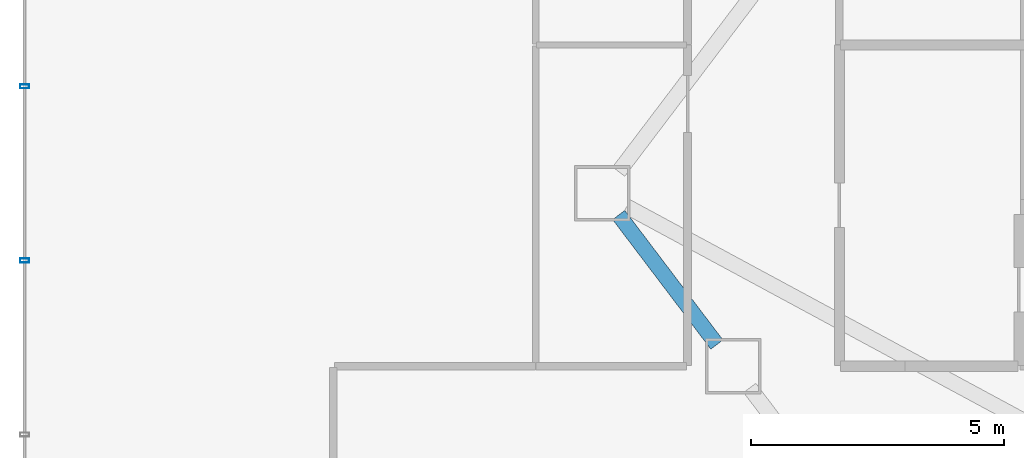
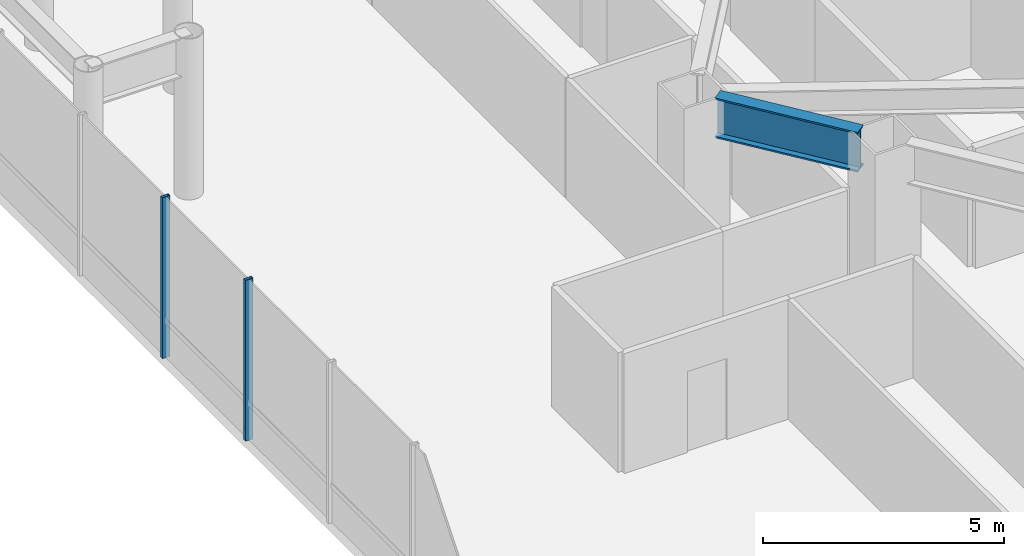
# One storey, part 10 of 33: 2 members, 1 beam, 1 element without a shape of its own.
"""IFC4 building model written with IfcOpenShell, lengths in metres."""

from ifc_helpers import new_model, si_unit, direction, frame, origin, origin_2d, place, context, subcontext, project, spatial, hollow_rectangle, i_section, extrude, material, layer, layer_set, material_profile, profile_set, type_object, element, aggregate, save


model = new_model("IFC4")

# Units and contexts
model_context = context("Model", 3, precision=1e-05, world=origin(), true_north=direction((0.0, 1.0)))
body_context = subcontext(model_context, "Body", "Model", "MODEL_VIEW")
ifc_project = project(units=[si_unit("LENGTHUNIT", "METRE"), si_unit("AREAUNIT", "SQUARE_METRE"), si_unit("VOLUMEUNIT", "CUBIC_METRE"), si_unit("PLANEANGLEUNIT", "RADIAN"), si_unit("MASSUNIT", "GRAM", prefix="KILO")], contexts=[model_context])

# Site, building, storey
site_placement = place(None, origin())
site = spatial("IfcSite", under=ifc_project, at=site_placement, CompositionType="ELEMENT")
building_placement = place(site_placement, origin())
building = spatial("IfcBuilding", under=site, at=building_placement, Name="Zarrinselat Tower", CompositionType="ELEMENT")
storey_placement = place(building_placement, frame((0.0, 0.0, 18.360107421875)))
storey = spatial("IfcBuildingStorey", under=building, at=storey_placement, Name="L04", CompositionType="ELEMENT", Elevation=18.360107421875)

# Beam
ifc_material_1 = material(Name="Steel S460M", Category="steel")
ifc_material_profile_1 = material_profile(ifc_material_1, i_section(OverallWidth=0.302001953125, OverallDepth=1.008056640625, WebThickness=0.02099609375, FlangeThickness=0.0400390625, at=origin_2d()), Name="HEM 1000")
ifc_profile_set_1 = profile_set([ifc_material_profile_1], Name="Steel S460M")
beam_type = type_object("IfcBeamType", Name="BM-HEM1000", PredefinedType="BEAM", material=ifc_profile_set_1)
beam_placement = place(storey_placement, frame((17.140380859375, 33.13916015625, 3.56591796875), z_axis=(0.6038723216, -0.797081061878, 0.0), x_axis=(0.797081061878, 0.6038723216, 0.0)))
element("IfcBeam", 1, at=beam_placement, inside=storey, type_object=beam_type, Name="L04 Perimeter Spandrel Girder SP06", PredefinedType="BEAM", context=body_context, shape_type="SweptSolid", body=[
    extrude(i_section(OverallWidth=0.302001953125, OverallDepth=1.008056640625, WebThickness=0.02099609375, FlangeThickness=0.0400390625, at=origin_2d()), origin(), (0.0, 0.0, 1.0), 3.212158203125),
])

# Curtain wall, members
ifc_material_2 = material(Name="Extruded Aluminium Alloy EN AW-6063 T6", Category="aluminium")
ifc_layer = layer(ifc_material_2, 0.2099609375)
ifc_layer_set = layer_set([ifc_layer], Name="Extruded Aluminium Alloy EN AW-6063 T6")
curtain_wall_type = type_object("IfcCurtainWallType", Name="CWS-POD", PredefinedType="NOTDEFINED", material=ifc_layer_set)
curtain_wall_placement = place(storey_placement, origin())
curtain_wall = element("IfcCurtainWall", 2, at=curtain_wall_placement, inside=storey, type_object=curtain_wall_type, Name="L04 Unitised Curtain Wall CW-L04-F7", PredefinedType="NOTDEFINED")
ifc_material_3 = material(Name="Extruded Aluminium Alloy EN AW-6063 T6", Category="aluminium")
ifc_material_profile_2 = material_profile(ifc_material_3, hollow_rectangle(XDim=0.080078125, YDim=0.179931640625, WallThickness=0.0048828125, at=origin_2d()), Name="RHS 180x80x5")
ifc_profile_set_2 = profile_set([ifc_material_profile_2], Name="Extruded Aluminium Alloy EN AW-6063 T6")
member_type = type_object("IfcMemberType", Name="MEM-CW-MUL", PredefinedType="MULLION", material=ifc_profile_set_2)
member_1_placement = place(storey_placement, frame((5.39990234375, 35.679931640625, 0.0), z_axis=(0.0, 0.0, 1.0), x_axis=(0.0, -1.0, 0.0)))
member_1 = element("IfcMember", 3, at=member_1_placement, type_object=member_type, Name="CW-L04-F7 Mullion 3", PredefinedType="MULLION", context=body_context, shape_type="SweptSolid", body=[
    extrude(hollow_rectangle(XDim=0.080078125, YDim=0.179931640625, WallThickness=0.0048828125, at=origin_2d()), origin(), (0.0, 0.0, 1.0), 4.06982421875),
])
member_2_placement = place(storey_placement, frame((5.39990234375, 32.239990234375, 0.0), z_axis=(0.0, 0.0, 1.0), x_axis=(0.0, -1.0, 0.0)))
member_2 = element("IfcMember", 4, at=member_2_placement, type_object=member_type, Name="CW-L04-F7 Mullion 4", PredefinedType="MULLION", context=body_context, shape_type="SweptSolid", body=[
    extrude(hollow_rectangle(XDim=0.080078125, YDim=0.179931640625, WallThickness=0.0048828125, at=origin_2d()), origin(), (0.0, 0.0, 1.0), 4.06982421875),
])
aggregate(curtain_wall, [member_1, member_2])

save(model, "model.ifc")
